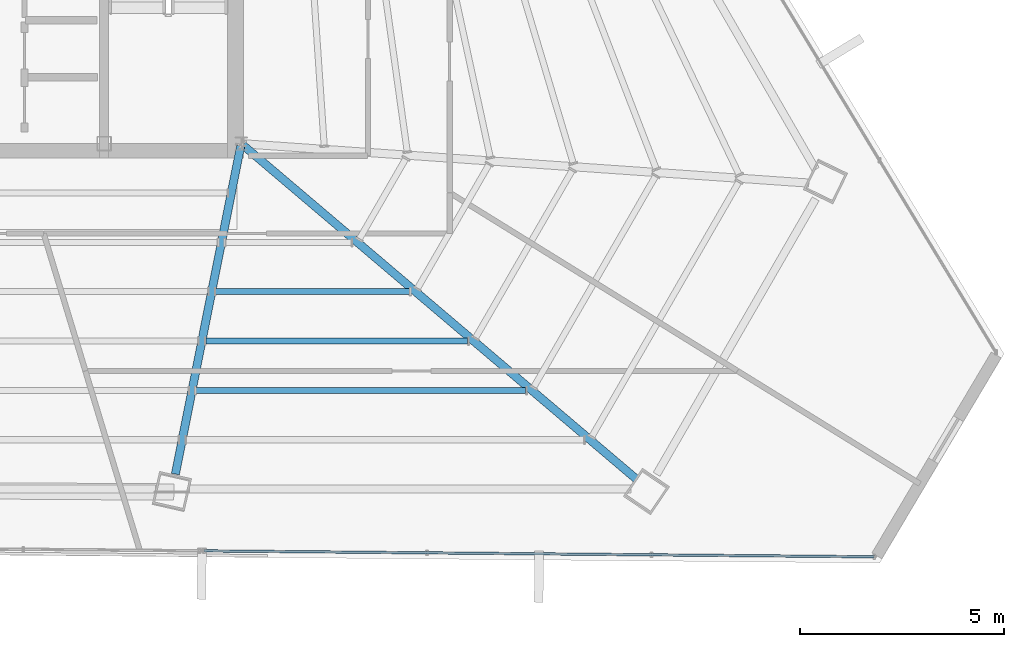
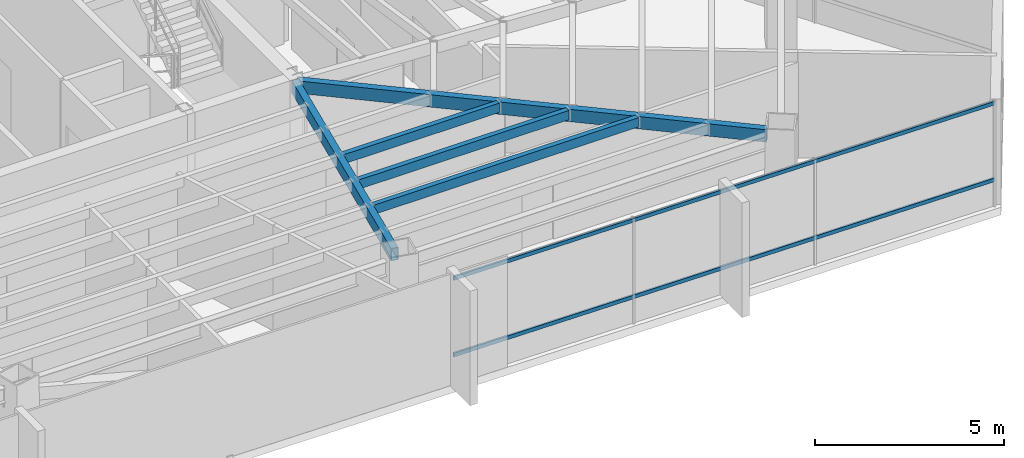
# One storey, part 22 of 49: 5 beams, 2 members, 1 element without a shape of its own.
"""IFC4 building model written with IfcOpenShell, lengths in metres."""

from ifc_helpers import new_model, si_unit, direction, frame, origin, origin_2d, place, context, subcontext, project, spatial, hollow_rectangle, extrude, source, transform, mapped, material, material_profile, profile_set, type_object, type_shapes, element, aggregate, save


model = new_model("IFC4")

# Units and contexts
model_context = context("Model", 3, precision=1e-05, world=origin(), true_north=direction((0.0, 1.0)))
body_context = subcontext(model_context, "Body", "Model", "MODEL_VIEW")
ifc_project = project(units=[si_unit("LENGTHUNIT", "METRE"), si_unit("AREAUNIT", "SQUARE_METRE"), si_unit("VOLUMEUNIT", "CUBIC_METRE"), si_unit("PLANEANGLEUNIT", "RADIAN"), si_unit("MASSUNIT", "GRAM", prefix="KILO")], contexts=[model_context])

# Site, building, storey
site_placement = place(None, origin())
site = spatial("IfcSite", under=ifc_project, at=site_placement, CompositionType="ELEMENT")
building_placement = place(site_placement, origin())
building = spatial("IfcBuilding", under=site, at=building_placement, Name="Caelisora Broadcast Tower", CompositionType="ELEMENT")
storey_placement = place(building_placement, frame((0.0, 0.0, 233.5)))
storey = spatial("IfcBuildingStorey", under=building, at=storey_placement, Name="L61", CompositionType="ELEMENT", Elevation=233.5)

# Beams
ifc_material_1 = material(Name="Steel Grade 350 (AS/NZS 1163 C350L0)", Category="steel")
ifc_material_profile_1 = material_profile(ifc_material_1, hollow_rectangle(XDim=0.199951171875, YDim=0.39990234375, WallThickness=0.012451171875, at=origin_2d()), Name="Steel Grade 350 (AS/NZS 1163 C350L0)")
ifc_profile_set_1 = profile_set([ifc_material_profile_1], Name="Steel Grade 350 (AS/NZS 1163 C350L0)")
beam_type_1 = type_object("IfcBeamType", Name="PG07", PredefinedType="BEAM", material=ifc_profile_set_1)
shared_shape_1 = source(origin(), body_context, "Body", "SweptSolid", [
    extrude(hollow_rectangle(XDim=0.199951171875, YDim=0.39990234375, WallThickness=0.012451171875, at=origin_2d()), origin(), (0.0, 0.0, 1.0), 12.62109375),
])
beam_1_placement = place(storey_placement, frame((45.545654296875, 17.361083984375, 3.199951171875), z_axis=(0.762397791286, -0.647108652269, 0.0), x_axis=(0.647108652269, 0.762397791286, 0.0)))
element("IfcBeam", 1, at=beam_1_placement, inside=storey, type_object=beam_type_1, Name="L61 beam PG07", PredefinedType="BEAM", context=body_context, shape_type="MappedRepresentation", body=[
    mapped(shared_shape_1, transform((0.0, 0.0, 0.0), scale=1.0)),
])
shared_shape_2 = source(origin(), body_context, "Body", "SweptSolid", [
    extrude(hollow_rectangle(XDim=0.199951171875, YDim=0.39990234375, WallThickness=0.012451171875, at=origin_2d()), origin(), (0.0, 0.0, 1.0), 8.179443359375),
])
type_shapes(beam_type_1, [shared_shape_1, shared_shape_2])
beam_2_placement = place(storey_placement, frame((45.48828125, 17.34130859375, 3.199951171875), z_axis=(-0.195209116406, -0.980761643251, 0.0), x_axis=(0.980761643251, -0.195209116406, 0.0)))
element("IfcBeam", 2, at=beam_2_placement, inside=storey, type_object=beam_type_1, Name="L61 beam PG07", PredefinedType="BEAM", context=body_context, shape_type="MappedRepresentation", body=[
    mapped(shared_shape_2, transform((0.0, 0.0, 0.0), scale=1.0)),
])
ifc_material_profile_2 = material_profile(ifc_material_1, hollow_rectangle(XDim=0.14990234375, YDim=0.300048828125, WallThickness=0.010009765625, at=origin_2d()), Name="Steel Grade 350 (AS/NZS 1163 C350L0)")
ifc_profile_set_2 = profile_set([ifc_material_profile_2], Name="Steel Grade 350 (AS/NZS 1163 C350L0)")
beam_type_2 = type_object("IfcBeamType", Name="SB05", PredefinedType="JOIST", material=ifc_profile_set_2)
shared_shape_3 = source(origin(), body_context, "Body", "SweptSolid", [
    extrude(hollow_rectangle(XDim=0.14990234375, YDim=0.300048828125, WallThickness=0.010009765625, at=origin_2d()), origin(), (0.0, 0.0, 1.0), 4.736572265625),
])
beam_3_placement = place(storey_placement, frame((44.878173828125, 13.77880859375, 3.25), z_axis=(1.0, 0.0, 0.0), x_axis=(0.0, 1.0, 0.0)))
element("IfcBeam", 3, at=beam_3_placement, inside=storey, type_object=beam_type_2, Name="L61 beam SB05", PredefinedType="JOIST", context=body_context, shape_type="MappedRepresentation", body=[
    mapped(shared_shape_3, transform((0.0, 0.0, 0.0), scale=1.0)),
])
shared_shape_4 = source(origin(), body_context, "Body", "SweptSolid", [
    extrude(hollow_rectangle(XDim=0.14990234375, YDim=0.300048828125, WallThickness=0.010009765625, at=origin_2d()), origin(), (0.0, 0.0, 1.0), 6.39892578125),
])
beam_4_placement = place(storey_placement, frame((44.637939453125, 12.57177734375, 3.25), z_axis=(1.0, 0.0, 0.0), x_axis=(0.0, 1.0, 0.0)))
element("IfcBeam", 4, at=beam_4_placement, inside=storey, type_object=beam_type_2, Name="L61 beam SB05", PredefinedType="JOIST", context=body_context, shape_type="MappedRepresentation", body=[
    mapped(shared_shape_4, transform((0.0, 0.0, 0.0), scale=1.0)),
])
shared_shape_5 = source(origin(), body_context, "Body", "SweptSolid", [
    extrude(hollow_rectangle(XDim=0.14990234375, YDim=0.300048828125, WallThickness=0.010009765625, at=origin_2d()), origin(), (0.0, 0.0, 1.0), 8.061279296875),
])
type_shapes(beam_type_2, [shared_shape_3, shared_shape_4, shared_shape_5])
beam_5_placement = place(storey_placement, frame((44.397705078125, 11.36474609375, 3.25), z_axis=(1.0, 0.0, 0.0), x_axis=(0.0, 1.0, 0.0)))
element("IfcBeam", 5, at=beam_5_placement, inside=storey, type_object=beam_type_2, Name="L61 beam SB05", PredefinedType="JOIST", context=body_context, shape_type="MappedRepresentation", body=[
    mapped(shared_shape_5, transform((0.0, 0.0, 0.0), scale=1.0)),
])

# Curtain wall, members
ifc_material_2 = material(Name="Unitised Aluminium and Low-E Glass Curtain Wall", Category="glass")
curtain_wall_type = type_object("IfcCurtainWallType", Name="CW-Z5", PredefinedType="NOTDEFINED", material=ifc_material_2)
curtain_wall_placement = place(storey_placement, origin())
curtain_wall = element("IfcCurtainWall", 6, at=curtain_wall_placement, inside=storey, type_object=curtain_wall_type, Name="L61 curtain wall CW-Z5", PredefinedType="NOTDEFINED")
ifc_material_3 = material(Name="Aluminium 6063-T6 Anodised Terracotta Bronze", Category="aluminium")
ifc_material_profile_3 = material_profile(ifc_material_3, hollow_rectangle(XDim=0.06005859375, YDim=0.1201171875, WallThickness=0.0029296875, at=origin_2d()), Name="Aluminium 6063-T6 Anodised Terracotta Bronze")
ifc_profile_set_3 = profile_set([ifc_material_profile_3], Name="Aluminium 6063-T6 Anodised Terracotta Bronze")
member_type = type_object("IfcMemberType", Name="CWT-03", PredefinedType="USERDEFINED", material=ifc_profile_set_3)
shared_shape_6 = source(origin(), body_context, "Body", "SweptSolid", [
    extrude(hollow_rectangle(XDim=0.06005859375, YDim=0.1201171875, WallThickness=0.0029296875, at=origin_2d()), origin(), (0.0, 0.0, 1.0), 16.391845703125),
])
type_shapes(member_type, [shared_shape_6])
member_1_placement = place(storey_placement, frame((60.985107421875, 7.29345703125, 0.85009765625), z_axis=(-0.999960467333, 0.008891781093, 0.0), x_axis=(-0.008891781093, -0.999960467333, 0.0)))
member_1 = element("IfcMember", 7, at=member_1_placement, type_object=member_type, Name="L61-CW-B05 transom #1", ObjectType="TRANSOM", PredefinedType="USERDEFINED", context=body_context, shape_type="MappedRepresentation", body=[
    mapped(shared_shape_6, transform((0.0, 0.0, 0.0), scale=1.0)),
])
member_2_placement = place(storey_placement, frame((60.985107421875, 7.29345703125, 3.320068359375), z_axis=(-0.999960467333, 0.008891781093, 0.0), x_axis=(-0.008891781093, -0.999960467333, 0.0)))
member_2 = element("IfcMember", 8, at=member_2_placement, type_object=member_type, Name="L61-CW-B05 transom #2", ObjectType="TRANSOM", PredefinedType="USERDEFINED", context=body_context, shape_type="MappedRepresentation", body=[
    mapped(shared_shape_6, transform((0.0, 0.0, 0.0), scale=1.0)),
])
aggregate(curtain_wall, [member_1, member_2])

save(model, "model.ifc")
